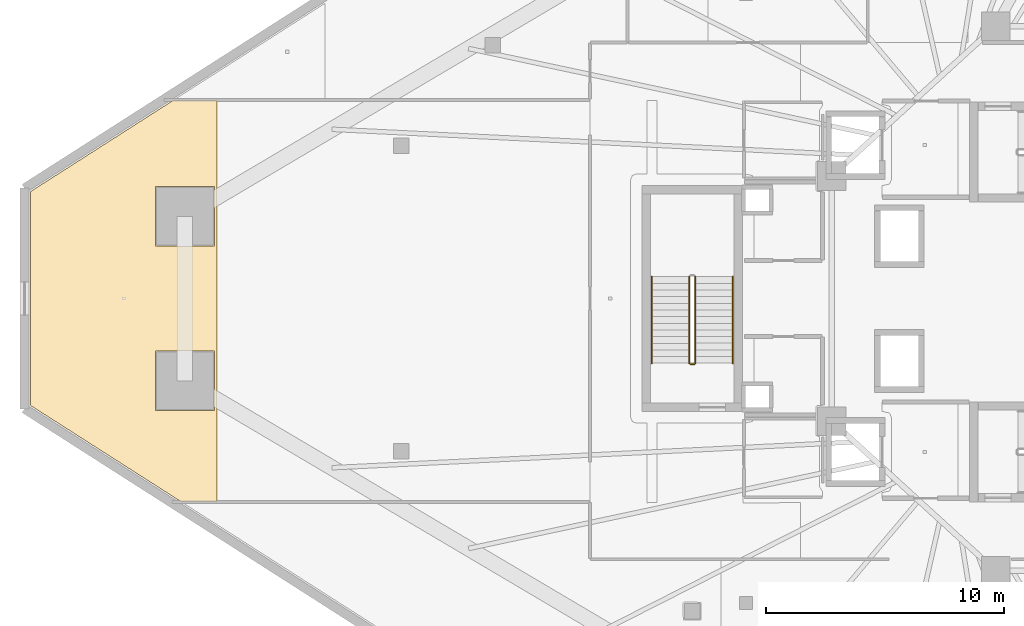
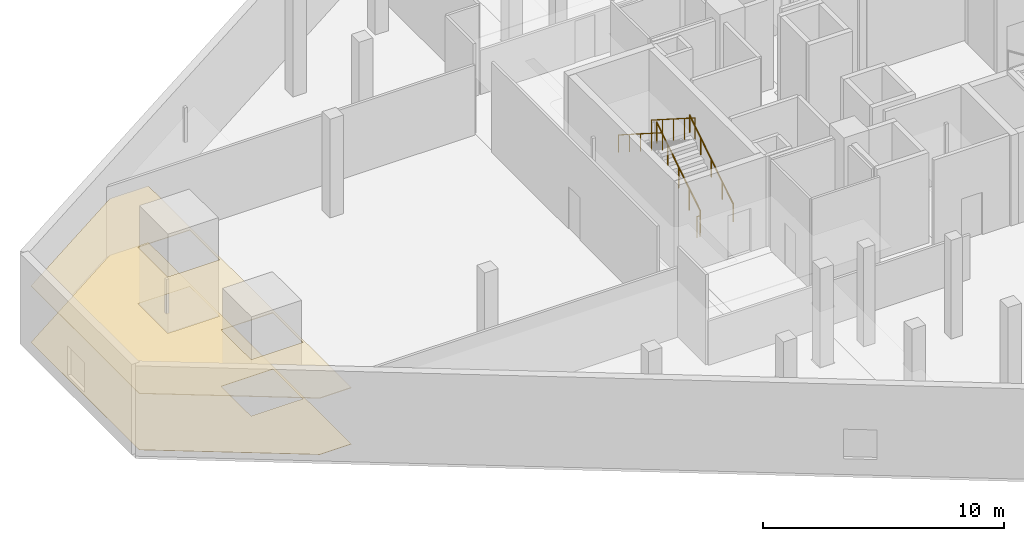
# One storey, part 39 of 43: 5 railings, 2 coverings.
"""IFC4 building model written with IfcOpenShell, lengths in metres."""

from ifc_helpers import new_model, si_unit, direction, frame, origin, origin_2d, place, context, subcontext, project, spatial, polyline, circle, outline, extrude, material, layer, layer_set, type_object, element, save


model = new_model("IFC4")

# Units and contexts
model_context = context("Model", 3, precision=1e-05, world=origin(), true_north=direction((0.0, 1.0)))
body_context = subcontext(model_context, "Body", "Model", "MODEL_VIEW")
ifc_project = project(units=[si_unit("LENGTHUNIT", "METRE"), si_unit("AREAUNIT", "SQUARE_METRE"), si_unit("VOLUMEUNIT", "CUBIC_METRE"), si_unit("PLANEANGLEUNIT", "RADIAN"), si_unit("MASSUNIT", "GRAM", prefix="KILO")], contexts=[model_context])

# Site, building, storey
site_placement = place(None, origin())
site = spatial("IfcSite", under=ifc_project, at=site_placement, CompositionType="ELEMENT")
building_placement = place(site_placement, origin())
building = spatial("IfcBuilding", under=site, at=building_placement, Name="Qorvath Tower", CompositionType="ELEMENT")
storey_placement = place(building_placement, frame((0.0, 0.0, 22.0)))
storey = spatial("IfcBuildingStorey", under=building, at=storey_placement, Name="L04", CompositionType="ELEMENT", Elevation=22.0)

# Coverings
ifc_material_1 = material(Name="Acoustic mineral fibre ceiling tile", Category="gypsum")
ifc_layer_1 = layer(ifc_material_1, 0.030029296875)
ifc_layer_set_1 = layer_set([ifc_layer_1], Name="COV-CEIL")
covering_type_1 = type_object("IfcCoveringType", Name="COV-CEIL", PredefinedType="CEILING", material=ifc_layer_set_1)
covering_1_placement = place(storey_placement, frame((0.0, 0.0, 2.85009765625)))
element("IfcCovering", 1, at=covering_1_placement, inside=storey, type_object=covering_type_1, Name="L04 Suspended Acoustic Ceiling 013", PredefinedType="CEILING", context=body_context, shape_type="SweptSolid", body=[
    extrude(outline(polyline([(-56.33056640625, -8.537109375), (-56.33056640625, 8.331298828125), (-58.166015625, 8.330810546875), (-64.164306640625, 4.4970703125), (-64.164306640625, -4.4970703125), (-57.84326171875, -8.537109375), (-56.33056640625, -8.537109375)]), holes=[polyline([(-58.92236328125, -2.213623046875), (-56.4375, -2.213623046875), (-56.4375, -4.698486328125), (-58.92236328125, -4.698486328125), (-58.92236328125, -2.213623046875)]), polyline([(-58.92236328125, 4.698486328125), (-56.4375, 4.698486328125), (-56.4375, 2.213623046875), (-58.92236328125, 2.213623046875), (-58.92236328125, 4.698486328125)])]), origin(), (0.0, 0.0, 1.0), 0.030029296875),
])
ifc_material_2 = material(Name="Low-VOC modular carpet tile", Category="textile")
ifc_layer_2 = layer(ifc_material_2, 0.014892578125)
ifc_layer_set_2 = layer_set([ifc_layer_2], Name="COV-FLOOR-CPT")
covering_type_2 = type_object("IfcCoveringType", Name="COV-FLOOR-CPT", PredefinedType="FLOORING", material=ifc_layer_set_2)
covering_2_placement = place(storey_placement, origin())
element("IfcCovering", 2, at=covering_2_placement, inside=storey, type_object=covering_type_2, Name="L04 Floor Finish 013", PredefinedType="FLOORING", context=body_context, shape_type="SweptSolid", body=[
    extrude(outline(polyline([(-56.33056640625, -8.537109375), (-56.33056640625, 8.331298828125), (-58.166015625, 8.330810546875), (-64.164306640625, 4.4970703125), (-64.164306640625, -4.4970703125), (-57.84326171875, -8.537109375), (-56.33056640625, -8.537109375)]), holes=[polyline([(-58.92236328125, -2.213623046875), (-56.4375, -2.213623046875), (-56.4375, -4.698486328125), (-58.92236328125, -4.698486328125), (-58.92236328125, -2.213623046875)]), polyline([(-58.92236328125, 4.698486328125), (-56.4375, 4.698486328125), (-56.4375, 2.213623046875), (-58.92236328125, 2.213623046875), (-58.92236328125, 4.698486328125)])]), origin(), (0.0, 0.0, 1.0), 0.014892578125),
])

# Railings
ifc_material_3 = material(Name="Painted galvanised steel", Category="steel")
railing_type_1 = type_object("IfcRailingType", Name="RL-STR-GRD", PredefinedType="GUARDRAIL", material=ifc_material_3)
railing_1_placement = place(storey_placement, frame((-36.22998046875, -2.719970703125, 0.178466796875)))
element("IfcRailing", 3, at=railing_1_placement, inside=storey, type_object=railing_type_1, Name="L04 TS3 stair guard 1", PredefinedType="GUARDRAIL", context=body_context, shape_type="SweptSolid", body=[
    extrude(circle(Radius=0.02392578125, at=origin_2d()), frame((0.0, 0.0, 1.076171875), z_axis=(0.0, 0.843111507901, 0.53773877045), x_axis=(-1.0, 0.0, 0.0)), (0.0, 0.0, 1.0), 4.317138671875),
    extrude(circle(Radius=0.02099609375, at=origin_2d()), origin(), (0.0, 0.0, 1.0), 1.052001953125),
    extrude(circle(Radius=0.02099609375, at=origin_2d()), frame((0.0, 0.909912109375, 0.580322265625)), (0.0, 0.0, 1.0), 1.052001953125),
    extrude(circle(Radius=0.02099609375, at=origin_2d()), frame((0.0, 1.81982421875, 1.16064453125)), (0.0, 0.0, 1.0), 1.052001953125),
    extrude(circle(Radius=0.02099609375, at=origin_2d()), frame((0.0, 2.72998046875, 1.7412109375)), (0.0, 0.0, 1.0), 1.052001953125),
    extrude(circle(Radius=0.02099609375, at=origin_2d()), frame((0.0, 3.639892578125, 2.321533203125)), (0.0, 0.0, 1.0), 1.052001953125),
])
railing_2_placement = place(storey_placement, frame((-36.47998046875, 0.919921875, 2.678466796875)))
element("IfcRailing", 4, at=railing_2_placement, inside=storey, type_object=railing_type_1, Name="L04 TS3 stair guard 3", PredefinedType="GUARDRAIL", context=body_context, shape_type="SweptSolid", body=[
    extrude(circle(Radius=0.02392578125, at=origin_2d()), frame((0.0, 0.0, 1.076171875), z_axis=(0.0, -0.843111507901, 0.53773877045), x_axis=(1.0, 0.0, 0.0)), (0.0, 0.0, 1.0), 4.317138671875),
    extrude(circle(Radius=0.02099609375, at=origin_2d()), origin(), (0.0, 0.0, 1.0), 1.052001953125),
    extrude(circle(Radius=0.02099609375, at=origin_2d()), frame((0.0, -0.909912109375, 0.580322265625)), (0.0, 0.0, 1.0), 1.052001953125),
    extrude(circle(Radius=0.02099609375, at=origin_2d()), frame((0.0, -1.81982421875, 1.16064453125)), (0.0, 0.0, 1.0), 1.052001953125),
    extrude(circle(Radius=0.02099609375, at=origin_2d()), frame((0.0, -2.72998046875, 1.7412109375)), (0.0, 0.0, 1.0), 1.052001953125),
    extrude(circle(Radius=0.02099609375, at=origin_2d()), frame((0.0, -3.639892578125, 2.321533203125)), (0.0, 0.0, 1.0), 1.052001953125),
])
railing_3_placement = place(storey_placement, frame((-36.280029296875, -2.77001953125, 0.0)))
element("IfcRailing", 5, at=railing_3_placement, inside=storey, type_object=railing_type_1, Name="L04 TS3 stair guard 4", PredefinedType="GUARDRAIL", context=body_context, shape_type="SweptSolid", body=[
    extrude(circle(Radius=0.02392578125, at=origin_2d()), frame((0.0, 0.0, 1.076171875), z_axis=(-1.0, 0.0, 0.0), x_axis=(0.0, -1.0, 0.0)), (0.0, 0.0, 1.0), 0.14990234375),
    extrude(circle(Radius=0.02099609375, at=origin_2d()), origin(), (0.0, 0.0, 1.0), 1.052001953125),
    extrude(circle(Radius=0.02099609375, at=origin_2d()), frame((-0.14990234375, 0.0, 0.0)), (0.0, 0.0, 1.0), 1.052001953125),
])
ifc_material_4 = material(Name="Brushed stainless steel AISI 304", Category="steel")
railing_type_2 = type_object("IfcRailingType", Name="RL-STR-HND", PredefinedType="HANDRAIL", material=ifc_material_4)
railing_4_placement = place(storey_placement, frame((-34.64990234375, -2.719970703125, 0.178466796875)))
element("IfcRailing", 6, at=railing_4_placement, inside=storey, type_object=railing_type_2, Name="L04 TS3 stair handrail 1", PredefinedType="HANDRAIL", context=body_context, shape_type="SweptSolid", body=[
    extrude(circle(Radius=0.02392578125, at=origin_2d()), frame((0.0, 0.0, 0.8759765625), z_axis=(0.0, 0.843111507901, 0.53773877045), x_axis=(-1.0, 0.0, 0.0)), (0.0, 0.0, 1.0), 4.317138671875),
    extrude(circle(Radius=0.02099609375, at=origin_2d()), origin(), (0.0, 0.0, 1.0), 0.851806640625),
    extrude(circle(Radius=0.02099609375, at=origin_2d()), frame((0.0, 0.909912109375, 0.580322265625)), (0.0, 0.0, 1.0), 0.851806640625),
    extrude(circle(Radius=0.02099609375, at=origin_2d()), frame((0.0, 1.81982421875, 1.16064453125)), (0.0, 0.0, 1.0), 0.851806640625),
    extrude(circle(Radius=0.02099609375, at=origin_2d()), frame((0.0, 2.72998046875, 1.7412109375)), (0.0, 0.0, 1.0), 0.851806640625),
    extrude(circle(Radius=0.02099609375, at=origin_2d()), frame((0.0, 3.639892578125, 2.321533203125)), (0.0, 0.0, 1.0), 0.851806640625),
])
railing_5_placement = place(storey_placement, frame((-38.06005859375, 0.919921875, 2.678466796875)))
element("IfcRailing", 7, at=railing_5_placement, inside=storey, type_object=railing_type_2, Name="L04 TS3 stair handrail 2", PredefinedType="HANDRAIL", context=body_context, shape_type="SweptSolid", body=[
    extrude(circle(Radius=0.02392578125, at=origin_2d()), frame((0.0, 0.0, 0.8759765625), z_axis=(0.0, -0.843111507901, 0.53773877045), x_axis=(1.0, 0.0, 0.0)), (0.0, 0.0, 1.0), 4.317138671875),
    extrude(circle(Radius=0.02099609375, at=origin_2d()), origin(), (0.0, 0.0, 1.0), 0.851806640625),
    extrude(circle(Radius=0.02099609375, at=origin_2d()), frame((0.0, -0.909912109375, 0.580322265625)), (0.0, 0.0, 1.0), 0.851806640625),
    extrude(circle(Radius=0.02099609375, at=origin_2d()), frame((0.0, -1.81982421875, 1.16064453125)), (0.0, 0.0, 1.0), 0.851806640625),
    extrude(circle(Radius=0.02099609375, at=origin_2d()), frame((0.0, -2.72998046875, 1.7412109375)), (0.0, 0.0, 1.0), 0.851806640625),
    extrude(circle(Radius=0.02099609375, at=origin_2d()), frame((0.0, -3.639892578125, 2.321533203125)), (0.0, 0.0, 1.0), 0.851806640625),
])

save(model, "model.ifc")
